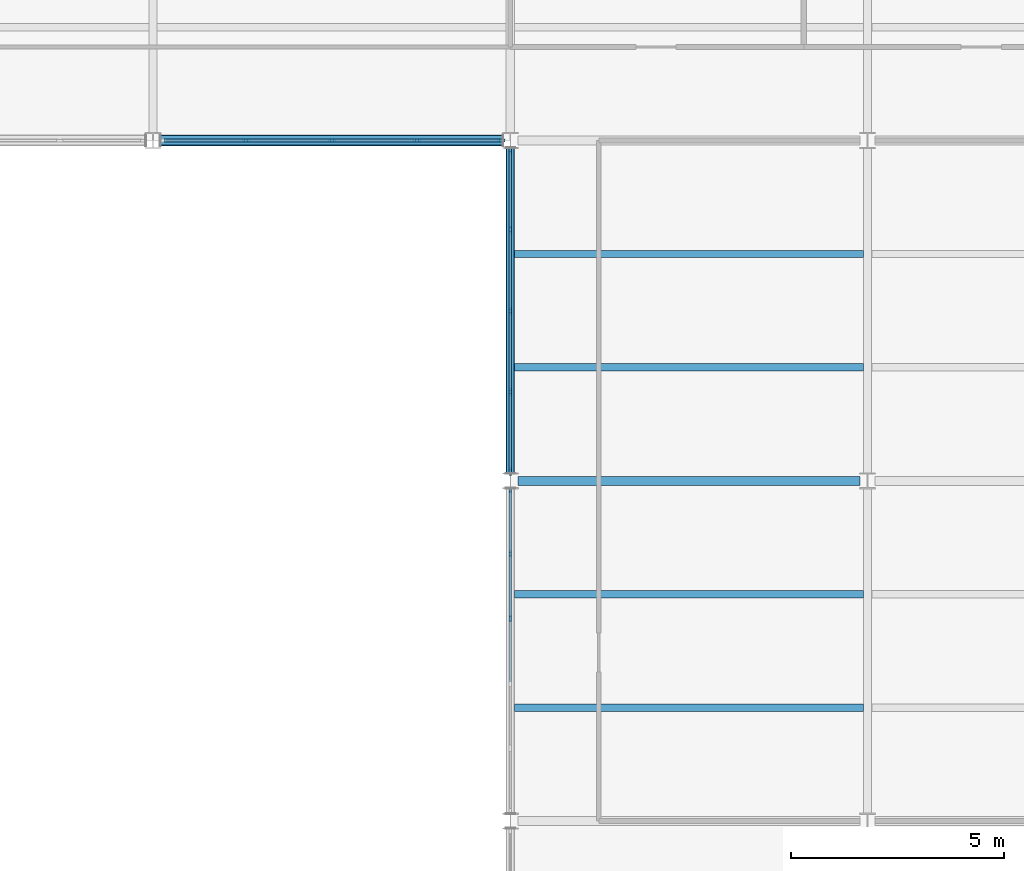
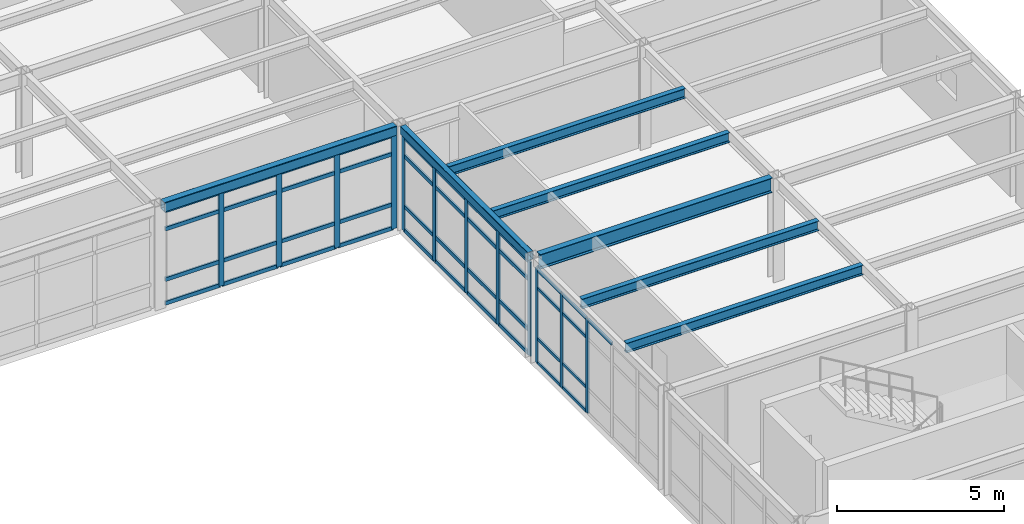
# One storey, part 54 of 138: 53 members, 7 beams, 3 elements without a shape of their own.
"""IFC4 building model written with IfcOpenShell, lengths in metres."""

import ifcopenshell
import ifcopenshell.guid

model = None  # the IFC model being written
_history = None  # IfcOwnerHistory: only IFC2X3 demands one
_inside = {}  # id of a spatial element -> (the spatial element, [elements in it])
_under = {}  # id of a project, library or spatial element -> (it, [spatial elements below it])
_declared = {}  # id of a project -> (the project, [libraries it declares])
_typed = {}  # id of a type object -> (the type object, [elements of that type])
_made_of = {}  # id of a material, layer set ... -> (it, [elements and type objects made of it])


def new_model(schema):
    """Start an empty IFC model of exactly this schema.

    Asked for "IFC4X3", IfcOpenShell would pick the latest addendum, in which some entities
    have other attributes; the version numbers below select the first issue.
    IFC2X3 requires an IfcOwnerHistory on every rooted entity: one is made here for all.
    """
    global model, _history
    if schema == "IFC4X3":
        model = ifcopenshell.file(schema_version=(4, 3, 0, 0))
    else:
        model = ifcopenshell.file(schema=schema)
    _inside.clear()
    _under.clear()
    _declared.clear()
    _typed.clear()
    _made_of.clear()
    _history = None
    if model.schema == "IFC2X3":
        org = make("IfcOrganization", Name="unknown")
        user = make(
            "IfcPersonAndOrganization",
            ThePerson=make("IfcPerson", FamilyName="unknown"),
            TheOrganization=org,
        )
        app = make(
            "IfcApplication",
            ApplicationDeveloper=org,
            Version="unknown",
            ApplicationFullName="unknown",
            ApplicationIdentifier="unknown",
        )
        _history = make(
            "IfcOwnerHistory",
            OwningUser=user,
            OwningApplication=app,
            ChangeAction="ADDED",
            CreationDate=0,
        )
    return model


def make(cls, **values):
    """One entity of the class cls with the attributes given. An attribute that is None is left unset."""
    return model.create_entity(
        cls, **{name: value for name, value in values.items() if value is not None}
    )


def rooted(cls, **values):
    """An entity with a GlobalId (a new one), such as an element, a storey or a relation."""
    return make(cls, GlobalId=ifcopenshell.guid.new(), OwnerHistory=_history, **values)


def si_unit(unit_type, name, prefix=None):
    """IfcSIUnit, for example si_unit("LENGTHUNIT", "METRE", prefix="MILLI")."""
    return make("IfcSIUnit", UnitType=unit_type, Prefix=prefix, Name=name)


def assignment(units):
    """IfcUnitAssignment: the units of a project."""
    return None if units is None else make("IfcUnitAssignment", Units=units)


def point(xyz):
    """IfcCartesianPoint."""
    return None if xyz is None else make("IfcCartesianPoint", Coordinates=xyz)


def direction(xyz):
    """IfcDirection."""
    return None if xyz is None else make("IfcDirection", DirectionRatios=xyz)


def frame(location, z_axis=None, x_axis=None):
    """IfcAxis2Placement3D, a coordinate frame: its origin and axes. An axis left out is left unset."""
    return make(
        "IfcAxis2Placement3D",
        Location=point(location),
        Axis=direction(z_axis),
        RefDirection=direction(x_axis),
    )


def frame_2d(location, x_axis=None):
    """IfcAxis2Placement2D, a coordinate frame in the plane: its origin and x axis."""
    return make(
        "IfcAxis2Placement2D", Location=point(location), RefDirection=direction(x_axis)
    )


def origin():
    """The frame at (0, 0, 0) with its axes left unset."""
    return frame((0.0, 0.0, 0.0))


def origin_2d():
    """The frame at (0, 0) in the plane with its x axis left unset."""
    return frame_2d((0.0, 0.0))


def place(relative_to, where):
    """IfcLocalPlacement: puts the frame where relative to a parent placement (None: the world)."""
    return make(
        "IfcLocalPlacement", PlacementRelTo=relative_to, RelativePlacement=where
    )


def context(
    kind, dimensions, precision=None, world=None, true_north=None, identifier=None
):
    """IfcGeometricRepresentationContext, for example the 3D "Model" context."""
    return make(
        "IfcGeometricRepresentationContext",
        ContextIdentifier=identifier,
        ContextType=kind,
        CoordinateSpaceDimension=dimensions,
        Precision=precision,
        WorldCoordinateSystem=world,
        TrueNorth=true_north,
    )


def subcontext(parent, identifier, kind, view, scale=None):
    """IfcGeometricRepresentationSubContext, for example "Body" below "Model"."""
    return make(
        "IfcGeometricRepresentationSubContext",
        ContextIdentifier=identifier,
        ContextType=kind,
        ParentContext=parent,
        TargetScale=scale,
        TargetView=view,
    )


def project(units=None, contexts=None):
    """IfcProject with its units and contexts."""
    return rooted(
        "IfcProject",
        Name="project",
        RepresentationContexts=contexts,
        UnitsInContext=assignment(units),
    )


def spatial(cls, under=None, at=None, **own):
    """A site, building, storey or space (cls), placed at a placement, below another one or the project."""
    s = rooted(cls, ObjectPlacement=at, **own)
    if under is not None:
        _under.setdefault(under.id(), (under, []))[1].append(s)
    return s


def profile(cls, at=None, kind="AREA", **sizes):
    """A parametric profile (cls). Its sizes go by their IFC names, for example OverallWidth=200.0."""
    return make(cls, ProfileType=kind, Position=at, **sizes)


def rectangle(**sizes):
    """IfcRectangleProfileDef."""
    return profile("IfcRectangleProfileDef", **sizes)


def hollow_rectangle(**sizes):
    """IfcRectangleHollowProfileDef."""
    return profile("IfcRectangleHollowProfileDef", **sizes)


def i_section(**sizes):
    """IfcIShapeProfileDef."""
    return profile("IfcIShapeProfileDef", **sizes)


def extrude(swept, where, along, depth):
    """IfcExtrudedAreaSolid: the profile swept, set in the frame where, extruded along a direction by depth."""
    return make(
        "IfcExtrudedAreaSolid",
        SweptArea=swept,
        Position=where,
        ExtrudedDirection=direction(along),
        Depth=depth,
    )


def shape(context_of_items, identifier, shape_type, items):
    """IfcShapeRepresentation: the items that make up one representation, for example the "Body"."""
    return make(
        "IfcShapeRepresentation",
        ContextOfItems=context_of_items,
        RepresentationIdentifier=identifier,
        RepresentationType=shape_type,
        Items=items,
    )


def material(Name=None, Category=None):
    """IfcMaterial."""
    return make("IfcMaterial", Name=Name, Category=Category)


def layer(
    of_material, thickness, ventilated=None, Name=None, Category=None, Priority=None
):
    """IfcMaterialLayer: one layer of a wall or slab, of a material (None: an air gap)."""
    return make(
        "IfcMaterialLayer",
        Material=of_material,
        LayerThickness=thickness,
        IsVentilated=ventilated,
        Name=Name,
        Category=Category,
        Priority=Priority,
    )


def layer_set(layers, Name=None):
    """IfcMaterialLayerSet."""
    return make("IfcMaterialLayerSet", MaterialLayers=layers, LayerSetName=Name)


def material_profile(
    of_material, cross_section, Name=None, Category=None, Priority=None
):
    """IfcMaterialProfile: a cross section and its material."""
    return make(
        "IfcMaterialProfile",
        Name=Name,
        Material=of_material,
        Profile=cross_section,
        Priority=Priority,
        Category=Category,
    )


def profile_set(profiles, Name=None, composite=None):
    """IfcMaterialProfileSet."""
    return make(
        "IfcMaterialProfileSet",
        Name=Name,
        MaterialProfiles=profiles,
        CompositeProfile=composite,
    )


def made_of(thing, what):
    """Note that an element or type object is made of a material, layer set ...; save() writes the relation."""
    if what is not None:
        _made_of.setdefault(what.id(), (what, []))[1].append(thing)
    return thing


def type_object(cls, material=None, **own):
    """A type object (cls), such as IfcWallType, which elements share."""
    return made_of(rooted(cls, **own), material)


def element(
    cls,
    number,
    at=None,
    inside=None,
    cuts=None,
    type_object=None,
    material=None,
    context=None,
    identifier="Body",
    shape_type=None,
    held_by="IfcProductDefinitionShape",
    body=None,
    shapes=None,
    **own,
):
    """One element of the class cls, such as IfcWall. Its Tag is "e" and its number.

    at: its placement. inside: the storey or other place that contains it. cuts: it is an
    opening in that element (IfcRelVoidsElement). A single representation is given by context,
    identifier, shape_type and body (its items); several are given by shapes. held_by: the class
    of the entity that holds the representations. save() writes the other relations.
    """
    e = rooted(cls, Tag="e%d" % number, ObjectPlacement=at, **own)
    if body is not None:
        shapes = [shape(context, identifier, shape_type, body)]
    if shapes is not None:
        e.Representation = make(held_by, Representations=shapes)
    if inside is not None:
        _inside.setdefault(inside.id(), (inside, []))[1].append(e)
    if cuts is not None:
        rooted(
            "IfcRelVoidsElement", RelatingBuildingElement=cuts, RelatedOpeningElement=e
        )
    if type_object is not None:
        _typed.setdefault(type_object.id(), (type_object, []))[1].append(e)
    return made_of(e, material)


def aggregate(whole, parts):
    """IfcRelAggregates: a whole, such as a stair, and the parts it consists of."""
    return rooted("IfcRelAggregates", RelatingObject=whole, RelatedObjects=parts)


def save(model, path):
    """Write the relations noted so far, then the file.

    IfcRelAggregates (storeys below a building ...), IfcRelContainedInSpatialStructure (elements
    in a storey), IfcRelDefinesByType, IfcRelAssociatesMaterial and IfcRelDeclares: one each for
    every whole, place, type object, material and project.
    """
    for whole, parts in _under.values():
        aggregate(whole, parts)
    for where, things in _inside.values():
        rooted(
            "IfcRelContainedInSpatialStructure",
            RelatedElements=things,
            RelatingStructure=where,
        )
    for kind, things in _typed.values():
        rooted("IfcRelDefinesByType", RelatedObjects=things, RelatingType=kind)
    for what, things in _made_of.values():
        rooted("IfcRelAssociatesMaterial", RelatedObjects=things, RelatingMaterial=what)
    for by, libraries in _declared.values():
        rooted("IfcRelDeclares", RelatingContext=by, RelatedDefinitions=libraries)
    model.write(path)


model = new_model("IFC4")

# Units and contexts
model_context = context("Model", 3, precision=1e-05, world=origin(), true_north=direction((0.0, 1.0)))
body_context = subcontext(model_context, "Body", "Model", "MODEL_VIEW")
ifc_project = project(units=[si_unit("LENGTHUNIT", "METRE"), si_unit("AREAUNIT", "SQUARE_METRE"), si_unit("VOLUMEUNIT", "CUBIC_METRE"), si_unit("PLANEANGLEUNIT", "RADIAN"), si_unit("MASSUNIT", "GRAM", prefix="KILO")], contexts=[model_context])

# Site, building, storey
site_placement = place(None, origin())
site = spatial("IfcSite", under=ifc_project, at=site_placement, CompositionType="ELEMENT")
building_placement = place(site_placement, origin())
building = spatial("IfcBuilding", under=site, at=building_placement, Name="Kranzveld Transit Interchange", CompositionType="ELEMENT")
storey_placement = place(building_placement, frame((0.0, 0.0, 5.43994140625)))
storey = spatial("IfcBuildingStorey", under=building, at=storey_placement, Name="L01", CompositionType="ELEMENT", Elevation=5.43994140625)

# Curtain wall, members
ifc_material_1 = material(Name="Bronze-anodised thermally broken aluminium", Category="aluminium")
ifc_layer_1 = layer(ifc_material_1, 0.14990234375)
ifc_layer_set_1 = layer_set([ifc_layer_1], Name="Bronze-anodised thermally broken aluminium")
curtain_wall_type_1 = type_object("IfcCurtainWallType", Name="Public Passage Clerestory Screen CW-4", PredefinedType="USERDEFINED", material=ifc_layer_set_1)
curtain_wall_1_placement = place(storey_placement, origin())
curtain_wall_1 = element("IfcCurtainWall", 1, at=curtain_wall_1_placement, inside=storey, type_object=curtain_wall_type_1, Name="L01 Curtain Wall 19/L-19/M", ObjectType="CURTAIN WALL", PredefinedType="USERDEFINED")
ifc_material_2 = material(Name="Bronze-anodised thermally broken aluminium", Category="aluminium")
ifc_material_profile_1 = material_profile(ifc_material_2, rectangle(XDim=0.06005859375, YDim=0.14990234375, at=origin_2d()), Name="ALU MULLION 60x150")
ifc_profile_set_1 = profile_set([ifc_material_profile_1], Name="Bronze-anodised thermally broken aluminium")
member_type_1 = type_object("IfcMemberType", Name="Curtain Wall Mullion 60x150 Alu", PredefinedType="MULLION", material=ifc_profile_set_1)
member_1_placement = place(storey_placement, frame((151.199951171875, 84.762451171875, 0.0), z_axis=(0.0, 0.0, 1.0), x_axis=(-1.0, 0.0, 0.0)))
member_1 = element("IfcMember", 2, at=member_1_placement, type_object=member_type_1, Name="CW-4 mullion 4", PredefinedType="MULLION", context=body_context, shape_type="SweptSolid", body=[
    extrude(rectangle(XDim=0.06005859375, YDim=0.14990234375, at=origin_2d()), origin(), (0.0, 0.0, 1.0), 3.442138671875),
])
member_2_placement = place(storey_placement, frame((151.199951171875, 86.28759765625, 0.0), z_axis=(0.0, 0.0, 1.0), x_axis=(-1.0, 0.0, 0.0)))
member_2 = element("IfcMember", 3, at=member_2_placement, type_object=member_type_1, Name="CW-4 mullion 5", PredefinedType="MULLION", context=body_context, shape_type="SweptSolid", body=[
    extrude(rectangle(XDim=0.06005859375, YDim=0.14990234375, at=origin_2d()), origin(), (0.0, 0.0, 1.0), 3.442138671875),
])
member_3_placement = place(storey_placement, frame((151.199951171875, 87.78271484375, 0.0), z_axis=(0.0, 0.0, 1.0), x_axis=(-1.0, 0.0, 0.0)))
member_3 = element("IfcMember", 4, at=member_3_placement, type_object=member_type_1, Name="CW-4 mullion 6", PredefinedType="MULLION", context=body_context, shape_type="SweptSolid", body=[
    extrude(rectangle(XDim=0.06005859375, YDim=0.14990234375, at=origin_2d()), origin(), (0.0, 0.0, 1.0), 3.442138671875),
])

ifc_material_3 = material(Name="Bronze-anodised thermally broken aluminium", Category="aluminium")
ifc_layer_2 = layer(ifc_material_3, 0.18505859375)
ifc_layer_set_2 = layer_set([ifc_layer_2], Name="Bronze-anodised thermally broken aluminium")
curtain_wall_type_2 = type_object("IfcCurtainWallType", Name="Control Crown Observation Facade CW-5", PredefinedType="USERDEFINED", material=ifc_layer_set_2)
curtain_wall_2_placement = place(storey_placement, origin())
curtain_wall_2 = element("IfcCurtainWall", 5, at=curtain_wall_2_placement, inside=storey, type_object=curtain_wall_type_2, Name="L01 Curtain Wall 19/M-19/N", ObjectType="CURTAIN WALL", PredefinedType="USERDEFINED")
ifc_material_4 = material(Name="Bronze-anodised thermally broken aluminium", Category="aluminium")
ifc_material_profile_2 = material_profile(ifc_material_4, rectangle(XDim=0.06494140625, YDim=0.179931640625, at=origin_2d()), Name="ALU MULLION 65x180")
ifc_profile_set_2 = profile_set([ifc_material_profile_2], Name="Bronze-anodised thermally broken aluminium")
member_type_2 = type_object("IfcMemberType", Name="Curtain Wall Mullion 65x180 Alu", PredefinedType="MULLION", material=ifc_profile_set_2)
member_4_placement = place(storey_placement, frame((151.199951171875, 88.2197265625, 0.0), z_axis=(0.0, 0.0, 1.0), x_axis=(-1.0, 0.0, 0.0)))
member_4 = element("IfcMember", 6, at=member_4_placement, type_object=member_type_2, Name="CW-5 mullion 1", PredefinedType="MULLION", context=body_context, shape_type="SweptSolid", body=[
    extrude(rectangle(XDim=0.06494140625, YDim=0.179931640625, at=origin_2d()), origin(), (0.0, 0.0, 1.0), 3.442138671875),
])
member_5_placement = place(storey_placement, frame((151.199951171875, 90.09375, 0.0), z_axis=(0.0, 0.0, 1.0), x_axis=(-1.0, 0.0, 0.0)))
member_5 = element("IfcMember", 7, at=member_5_placement, type_object=member_type_2, Name="CW-5 mullion 2", PredefinedType="MULLION", context=body_context, shape_type="SweptSolid", body=[
    extrude(rectangle(XDim=0.06494140625, YDim=0.179931640625, at=origin_2d()), origin(), (0.0, 0.0, 1.0), 3.442138671875),
])
member_6_placement = place(storey_placement, frame((151.199951171875, 92.0, 0.0), z_axis=(0.0, 0.0, 1.0), x_axis=(-1.0, 0.0, 0.0)))
member_6 = element("IfcMember", 8, at=member_6_placement, type_object=member_type_2, Name="CW-5 mullion 3", PredefinedType="MULLION", context=body_context, shape_type="SweptSolid", body=[
    extrude(rectangle(XDim=0.06494140625, YDim=0.179931640625, at=origin_2d()), origin(), (0.0, 0.0, 1.0), 3.442138671875),
])
member_7_placement = place(storey_placement, frame((151.199951171875, 93.90625, 0.0), z_axis=(0.0, 0.0, 1.0), x_axis=(-1.0, 0.0, 0.0)))
member_7 = element("IfcMember", 9, at=member_7_placement, type_object=member_type_2, Name="CW-5 mullion 4", PredefinedType="MULLION", context=body_context, shape_type="SweptSolid", body=[
    extrude(rectangle(XDim=0.06494140625, YDim=0.179931640625, at=origin_2d()), origin(), (0.0, 0.0, 1.0), 3.442138671875),
])
member_8_placement = place(storey_placement, frame((151.199951171875, 95.7802734375, 0.0), z_axis=(0.0, 0.0, 1.0), x_axis=(-1.0, 0.0, 0.0)))
member_8 = element("IfcMember", 10, at=member_8_placement, type_object=member_type_2, Name="CW-5 mullion 5", PredefinedType="MULLION", context=body_context, shape_type="SweptSolid", body=[
    extrude(rectangle(XDim=0.06494140625, YDim=0.179931640625, at=origin_2d()), origin(), (0.0, 0.0, 1.0), 3.442138671875),
])

ifc_material_5 = material(Name="Bronze-anodised thermally broken aluminium", Category="aluminium")
ifc_layer_3 = layer(ifc_material_5, 0.179931640625)
ifc_layer_set_3 = layer_set([ifc_layer_3], Name="Bronze-anodised thermally broken aluminium")
curtain_wall_type_3 = type_object("IfcCurtainWallType", Name="Concourse Unitised Curtain Wall CW-1", PredefinedType="USERDEFINED", material=ifc_layer_set_3)
curtain_wall_3_placement = place(storey_placement, origin())
curtain_wall_3 = element("IfcCurtainWall", 11, at=curtain_wall_3_placement, inside=storey, type_object=curtain_wall_type_3, Name="L01 Curtain Wall 18/N-19/N", ObjectType="CURTAIN WALL", PredefinedType="USERDEFINED")
member_9_placement = place(storey_placement, frame((144.99365234375, 96.0, 0.0), z_axis=(0.0, 0.0, 1.0), x_axis=(0.0, 1.0, 0.0)))
member_9 = element("IfcMember", 12, at=member_9_placement, type_object=member_type_2, Name="CW-1 mullion 2", PredefinedType="MULLION", context=body_context, shape_type="SweptSolid", body=[
    extrude(rectangle(XDim=0.06494140625, YDim=0.179931640625, at=origin_2d()), origin(), (0.0, 0.0, 1.0), 3.449951171875),
])
member_10_placement = place(storey_placement, frame((147.0, 96.0, 0.0), z_axis=(0.0, 0.0, 1.0), x_axis=(0.0, 1.0, 0.0)))
member_10 = element("IfcMember", 13, at=member_10_placement, type_object=member_type_2, Name="CW-1 mullion 3", PredefinedType="MULLION", context=body_context, shape_type="SweptSolid", body=[
    extrude(rectangle(XDim=0.06494140625, YDim=0.179931640625, at=origin_2d()), origin(), (0.0, 0.0, 1.0), 3.449951171875),
])
member_11_placement = place(storey_placement, frame((149.00634765625, 96.0, 0.0), z_axis=(0.0, 0.0, 1.0), x_axis=(0.0, 1.0, 0.0)))
member_11 = element("IfcMember", 14, at=member_11_placement, type_object=member_type_2, Name="CW-1 mullion 4", PredefinedType="MULLION", context=body_context, shape_type="SweptSolid", body=[
    extrude(rectangle(XDim=0.06494140625, YDim=0.179931640625, at=origin_2d()), origin(), (0.0, 0.0, 1.0), 3.449951171875),
])
member_12_placement = place(storey_placement, frame((150.980224609375, 96.0, 0.0), z_axis=(0.0, 0.0, 1.0), x_axis=(0.0, 1.0, 0.0)))
member_12 = element("IfcMember", 15, at=member_12_placement, type_object=member_type_2, Name="CW-1 mullion 5", PredefinedType="MULLION", context=body_context, shape_type="SweptSolid", body=[
    extrude(rectangle(XDim=0.06494140625, YDim=0.179931640625, at=origin_2d()), origin(), (0.0, 0.0, 1.0), 3.449951171875),
])

# Member
ifc_material_6 = material(Name="Bronze-anodised thermally broken aluminium", Category="aluminium")
ifc_material_profile_3 = material_profile(ifc_material_6, rectangle(XDim=0.06005859375, YDim=0.110107421875, at=origin_2d()), Name="ALU TRANSOM 60x110")
ifc_profile_set_3 = profile_set([ifc_material_profile_3], Name="Bronze-anodised thermally broken aluminium")
member_type_3 = type_object("IfcMemberType", Name="Curtain Wall Transom 60x110 Alu", PredefinedType="USERDEFINED", material=ifc_profile_set_3)
member_13_placement = place(storey_placement, frame((151.199951171875, 83.267578125, 3.412109375), z_axis=(0.0, 1.0, 0.0), x_axis=(-1.0, 0.0, 0.0)))
member_13 = element("IfcMember", 16, at=member_13_placement, type_object=member_type_3, Name="CW-4 transom 3.4", ObjectType="TRANSOM", PredefinedType="USERDEFINED", context=body_context, shape_type="SweptSolid", body=[
    extrude(rectangle(XDim=0.06005859375, YDim=0.110107421875, at=origin_2d()), origin(), (0.0, 0.0, 1.0), 1.46484375),
])

member_14_placement = place(storey_placement, frame((151.199951171875, 84.79248046875, 0.030029296875), z_axis=(0.0, 1.0, 0.0), x_axis=(-1.0, 0.0, 0.0)))
member_14 = element("IfcMember", 17, at=member_14_placement, type_object=member_type_3, Name="CW-4 transom 4.1", ObjectType="TRANSOM", PredefinedType="USERDEFINED", context=body_context, shape_type="SweptSolid", body=[
    extrude(rectangle(XDim=0.06005859375, YDim=0.110107421875, at=origin_2d()), origin(), (0.0, 0.0, 1.0), 1.465087890625),
])

member_15_placement = place(storey_placement, frame((151.199951171875, 84.79248046875, 0.900146484375), z_axis=(0.0, 1.0, 0.0), x_axis=(-1.0, 0.0, 0.0)))
member_15 = element("IfcMember", 18, at=member_15_placement, type_object=member_type_3, Name="CW-4 transom 4.2", ObjectType="TRANSOM", PredefinedType="USERDEFINED", context=body_context, shape_type="SweptSolid", body=[
    extrude(rectangle(XDim=0.06005859375, YDim=0.110107421875, at=origin_2d()), origin(), (0.0, 0.0, 1.0), 1.465087890625),
])

member_16_placement = place(storey_placement, frame((151.199951171875, 84.79248046875, 2.741943359375), z_axis=(0.0, 1.0, 0.0), x_axis=(-1.0, 0.0, 0.0)))
member_16 = element("IfcMember", 19, at=member_16_placement, type_object=member_type_3, Name="CW-4 transom 4.3", ObjectType="TRANSOM", PredefinedType="USERDEFINED", context=body_context, shape_type="SweptSolid", body=[
    extrude(rectangle(XDim=0.06005859375, YDim=0.110107421875, at=origin_2d()), origin(), (0.0, 0.0, 1.0), 1.465087890625),
])

member_17_placement = place(storey_placement, frame((151.199951171875, 84.79248046875, 3.412109375), z_axis=(0.0, 1.0, 0.0), x_axis=(-1.0, 0.0, 0.0)))
member_17 = element("IfcMember", 20, at=member_17_placement, type_object=member_type_3, Name="CW-4 transom 4.4", ObjectType="TRANSOM", PredefinedType="USERDEFINED", context=body_context, shape_type="SweptSolid", body=[
    extrude(rectangle(XDim=0.06005859375, YDim=0.110107421875, at=origin_2d()), origin(), (0.0, 0.0, 1.0), 1.465087890625),
])

member_18_placement = place(storey_placement, frame((151.199951171875, 86.317626953125, 0.030029296875), z_axis=(0.0, 1.0, 0.0), x_axis=(-1.0, 0.0, 0.0)))
member_18 = element("IfcMember", 21, at=member_18_placement, type_object=member_type_3, Name="CW-4 transom 5.1", ObjectType="TRANSOM", PredefinedType="USERDEFINED", context=body_context, shape_type="SweptSolid", body=[
    extrude(rectangle(XDim=0.06005859375, YDim=0.110107421875, at=origin_2d()), origin(), (0.0, 0.0, 1.0), 1.43505859375),
])

member_19_placement = place(storey_placement, frame((151.199951171875, 86.317626953125, 0.900146484375), z_axis=(0.0, 1.0, 0.0), x_axis=(-1.0, 0.0, 0.0)))
member_19 = element("IfcMember", 22, at=member_19_placement, type_object=member_type_3, Name="CW-4 transom 5.2", ObjectType="TRANSOM", PredefinedType="USERDEFINED", context=body_context, shape_type="SweptSolid", body=[
    extrude(rectangle(XDim=0.06005859375, YDim=0.110107421875, at=origin_2d()), origin(), (0.0, 0.0, 1.0), 1.43505859375),
])

member_20_placement = place(storey_placement, frame((151.199951171875, 86.317626953125, 2.741943359375), z_axis=(0.0, 1.0, 0.0), x_axis=(-1.0, 0.0, 0.0)))
member_20 = element("IfcMember", 23, at=member_20_placement, type_object=member_type_3, Name="CW-4 transom 5.3", ObjectType="TRANSOM", PredefinedType="USERDEFINED", context=body_context, shape_type="SweptSolid", body=[
    extrude(rectangle(XDim=0.06005859375, YDim=0.110107421875, at=origin_2d()), origin(), (0.0, 0.0, 1.0), 1.43505859375),
])

member_21_placement = place(storey_placement, frame((151.199951171875, 86.317626953125, 3.412109375), z_axis=(0.0, 1.0, 0.0), x_axis=(-1.0, 0.0, 0.0)))
member_21 = element("IfcMember", 24, at=member_21_placement, type_object=member_type_3, Name="CW-4 transom 5.4", ObjectType="TRANSOM", PredefinedType="USERDEFINED", context=body_context, shape_type="SweptSolid", body=[
    extrude(rectangle(XDim=0.06005859375, YDim=0.110107421875, at=origin_2d()), origin(), (0.0, 0.0, 1.0), 1.43505859375),
])

aggregate(curtain_wall_1, [member_1, member_2, member_3, member_13, member_14, member_15, member_16, member_17, member_18, member_19, member_20, member_21])

ifc_material_7 = material(Name="Bronze-anodised thermally broken aluminium", Category="aluminium")
ifc_material_profile_4 = material_profile(ifc_material_7, rectangle(XDim=0.06494140625, YDim=0.139892578125, at=origin_2d()), Name="ALU TRANSOM 65x140")
ifc_profile_set_4 = profile_set([ifc_material_profile_4], Name="Bronze-anodised thermally broken aluminium")
member_type_4 = type_object("IfcMemberType", Name="Curtain Wall Transom 65x140 Alu", PredefinedType="USERDEFINED", material=ifc_profile_set_4)
member_22_placement = place(storey_placement, frame((151.199951171875, 88.252197265625, 0.032470703125), z_axis=(0.0, 1.0, 0.0), x_axis=(-1.0, 0.0, 0.0)))
member_22 = element("IfcMember", 25, at=member_22_placement, type_object=member_type_4, Name="CW-5 transom 1.1", ObjectType="TRANSOM", PredefinedType="USERDEFINED", context=body_context, shape_type="SweptSolid", body=[
    extrude(rectangle(XDim=0.06494140625, YDim=0.139892578125, at=origin_2d()), origin(), (0.0, 0.0, 1.0), 1.808837890625),
])

member_23_placement = place(storey_placement, frame((151.199951171875, 88.252197265625, 0.900146484375), z_axis=(0.0, 1.0, 0.0), x_axis=(-1.0, 0.0, 0.0)))
member_23 = element("IfcMember", 26, at=member_23_placement, type_object=member_type_4, Name="CW-5 transom 1.2", ObjectType="TRANSOM", PredefinedType="USERDEFINED", context=body_context, shape_type="SweptSolid", body=[
    extrude(rectangle(XDim=0.06494140625, YDim=0.139892578125, at=origin_2d()), origin(), (0.0, 0.0, 1.0), 1.808837890625),
])

member_24_placement = place(storey_placement, frame((151.199951171875, 88.252197265625, 2.741943359375), z_axis=(0.0, 1.0, 0.0), x_axis=(-1.0, 0.0, 0.0)))
member_24 = element("IfcMember", 27, at=member_24_placement, type_object=member_type_4, Name="CW-5 transom 1.3", ObjectType="TRANSOM", PredefinedType="USERDEFINED", context=body_context, shape_type="SweptSolid", body=[
    extrude(rectangle(XDim=0.06494140625, YDim=0.139892578125, at=origin_2d()), origin(), (0.0, 0.0, 1.0), 1.808837890625),
])

member_25_placement = place(storey_placement, frame((151.199951171875, 88.252197265625, 3.40966796875), z_axis=(0.0, 1.0, 0.0), x_axis=(-1.0, 0.0, 0.0)))
member_25 = element("IfcMember", 28, at=member_25_placement, type_object=member_type_4, Name="CW-5 transom 1.4", ObjectType="TRANSOM", PredefinedType="USERDEFINED", context=body_context, shape_type="SweptSolid", body=[
    extrude(rectangle(XDim=0.06494140625, YDim=0.139892578125, at=origin_2d()), origin(), (0.0, 0.0, 1.0), 1.808837890625),
])

member_26_placement = place(storey_placement, frame((151.199951171875, 90.126220703125, 0.032470703125), z_axis=(0.0, 1.0, 0.0), x_axis=(-1.0, 0.0, 0.0)))
member_26 = element("IfcMember", 29, at=member_26_placement, type_object=member_type_4, Name="CW-5 transom 2.1", ObjectType="TRANSOM", PredefinedType="USERDEFINED", context=body_context, shape_type="SweptSolid", body=[
    extrude(rectangle(XDim=0.06494140625, YDim=0.139892578125, at=origin_2d()), origin(), (0.0, 0.0, 1.0), 1.84130859375),
])

member_27_placement = place(storey_placement, frame((151.199951171875, 90.126220703125, 0.900146484375), z_axis=(0.0, 1.0, 0.0), x_axis=(-1.0, 0.0, 0.0)))
member_27 = element("IfcMember", 30, at=member_27_placement, type_object=member_type_4, Name="CW-5 transom 2.2", ObjectType="TRANSOM", PredefinedType="USERDEFINED", context=body_context, shape_type="SweptSolid", body=[
    extrude(rectangle(XDim=0.06494140625, YDim=0.139892578125, at=origin_2d()), origin(), (0.0, 0.0, 1.0), 1.84130859375),
])

member_28_placement = place(storey_placement, frame((151.199951171875, 90.126220703125, 2.741943359375), z_axis=(0.0, 1.0, 0.0), x_axis=(-1.0, 0.0, 0.0)))
member_28 = element("IfcMember", 31, at=member_28_placement, type_object=member_type_4, Name="CW-5 transom 2.3", ObjectType="TRANSOM", PredefinedType="USERDEFINED", context=body_context, shape_type="SweptSolid", body=[
    extrude(rectangle(XDim=0.06494140625, YDim=0.139892578125, at=origin_2d()), origin(), (0.0, 0.0, 1.0), 1.84130859375),
])

member_29_placement = place(storey_placement, frame((151.199951171875, 90.126220703125, 3.40966796875), z_axis=(0.0, 1.0, 0.0), x_axis=(-1.0, 0.0, 0.0)))
member_29 = element("IfcMember", 32, at=member_29_placement, type_object=member_type_4, Name="CW-5 transom 2.4", ObjectType="TRANSOM", PredefinedType="USERDEFINED", context=body_context, shape_type="SweptSolid", body=[
    extrude(rectangle(XDim=0.06494140625, YDim=0.139892578125, at=origin_2d()), origin(), (0.0, 0.0, 1.0), 1.84130859375),
])

member_30_placement = place(storey_placement, frame((151.199951171875, 92.032470703125, 0.032470703125), z_axis=(0.0, 1.0, 0.0), x_axis=(-1.0, 0.0, 0.0)))
member_30 = element("IfcMember", 33, at=member_30_placement, type_object=member_type_4, Name="CW-5 transom 3.1", ObjectType="TRANSOM", PredefinedType="USERDEFINED", context=body_context, shape_type="SweptSolid", body=[
    extrude(rectangle(XDim=0.06494140625, YDim=0.139892578125, at=origin_2d()), origin(), (0.0, 0.0, 1.0), 1.84130859375),
])

member_31_placement = place(storey_placement, frame((151.199951171875, 92.032470703125, 0.900146484375), z_axis=(0.0, 1.0, 0.0), x_axis=(-1.0, 0.0, 0.0)))
member_31 = element("IfcMember", 34, at=member_31_placement, type_object=member_type_4, Name="CW-5 transom 3.2", ObjectType="TRANSOM", PredefinedType="USERDEFINED", context=body_context, shape_type="SweptSolid", body=[
    extrude(rectangle(XDim=0.06494140625, YDim=0.139892578125, at=origin_2d()), origin(), (0.0, 0.0, 1.0), 1.84130859375),
])

member_32_placement = place(storey_placement, frame((151.199951171875, 92.032470703125, 2.741943359375), z_axis=(0.0, 1.0, 0.0), x_axis=(-1.0, 0.0, 0.0)))
member_32 = element("IfcMember", 35, at=member_32_placement, type_object=member_type_4, Name="CW-5 transom 3.3", ObjectType="TRANSOM", PredefinedType="USERDEFINED", context=body_context, shape_type="SweptSolid", body=[
    extrude(rectangle(XDim=0.06494140625, YDim=0.139892578125, at=origin_2d()), origin(), (0.0, 0.0, 1.0), 1.84130859375),
])

member_33_placement = place(storey_placement, frame((151.199951171875, 92.032470703125, 3.40966796875), z_axis=(0.0, 1.0, 0.0), x_axis=(-1.0, 0.0, 0.0)))
member_33 = element("IfcMember", 36, at=member_33_placement, type_object=member_type_4, Name="CW-5 transom 3.4", ObjectType="TRANSOM", PredefinedType="USERDEFINED", context=body_context, shape_type="SweptSolid", body=[
    extrude(rectangle(XDim=0.06494140625, YDim=0.139892578125, at=origin_2d()), origin(), (0.0, 0.0, 1.0), 1.84130859375),
])

member_34_placement = place(storey_placement, frame((151.199951171875, 93.93896484375, 0.032470703125), z_axis=(0.0, 1.0, 0.0), x_axis=(-1.0, 0.0, 0.0)))
member_34 = element("IfcMember", 37, at=member_34_placement, type_object=member_type_4, Name="CW-5 transom 4.1", ObjectType="TRANSOM", PredefinedType="USERDEFINED", context=body_context, shape_type="SweptSolid", body=[
    extrude(rectangle(XDim=0.06494140625, YDim=0.139892578125, at=origin_2d()), origin(), (0.0, 0.0, 1.0), 1.808837890625),
])

member_35_placement = place(storey_placement, frame((151.199951171875, 93.93896484375, 0.900146484375), z_axis=(0.0, 1.0, 0.0), x_axis=(-1.0, 0.0, 0.0)))
member_35 = element("IfcMember", 38, at=member_35_placement, type_object=member_type_4, Name="CW-5 transom 4.2", ObjectType="TRANSOM", PredefinedType="USERDEFINED", context=body_context, shape_type="SweptSolid", body=[
    extrude(rectangle(XDim=0.06494140625, YDim=0.139892578125, at=origin_2d()), origin(), (0.0, 0.0, 1.0), 1.808837890625),
])

member_36_placement = place(storey_placement, frame((151.199951171875, 93.93896484375, 2.741943359375), z_axis=(0.0, 1.0, 0.0), x_axis=(-1.0, 0.0, 0.0)))
member_36 = element("IfcMember", 39, at=member_36_placement, type_object=member_type_4, Name="CW-5 transom 4.3", ObjectType="TRANSOM", PredefinedType="USERDEFINED", context=body_context, shape_type="SweptSolid", body=[
    extrude(rectangle(XDim=0.06494140625, YDim=0.139892578125, at=origin_2d()), origin(), (0.0, 0.0, 1.0), 1.808837890625),
])

member_37_placement = place(storey_placement, frame((151.199951171875, 93.93896484375, 3.40966796875), z_axis=(0.0, 1.0, 0.0), x_axis=(-1.0, 0.0, 0.0)))
member_37 = element("IfcMember", 40, at=member_37_placement, type_object=member_type_4, Name="CW-5 transom 4.4", ObjectType="TRANSOM", PredefinedType="USERDEFINED", context=body_context, shape_type="SweptSolid", body=[
    extrude(rectangle(XDim=0.06494140625, YDim=0.139892578125, at=origin_2d()), origin(), (0.0, 0.0, 1.0), 1.808837890625),
])

aggregate(curtain_wall_2, [member_4, member_5, member_6, member_7, member_8, member_22, member_23, member_24, member_25, member_26, member_27, member_28, member_29, member_30, member_31, member_32, member_33, member_34, member_35, member_36, member_37])

member_38_placement = place(storey_placement, frame((143.05224609375, 96.0, 0.032470703125), z_axis=(1.0, 0.0, 0.0), x_axis=(0.0, 1.0, 0.0)))
member_38 = element("IfcMember", 41, at=member_38_placement, type_object=member_type_4, Name="CW-1 transom 1.1", ObjectType="TRANSOM", PredefinedType="USERDEFINED", context=body_context, shape_type="SweptSolid", body=[
    extrude(rectangle(XDim=0.06494140625, YDim=0.139892578125, at=origin_2d()), origin(), (0.0, 0.0, 1.0), 1.908935546875),
])

member_39_placement = place(storey_placement, frame((143.05224609375, 96.0, 0.900146484375), z_axis=(1.0, 0.0, 0.0), x_axis=(0.0, 1.0, 0.0)))
member_39 = element("IfcMember", 42, at=member_39_placement, type_object=member_type_4, Name="CW-1 transom 1.2", ObjectType="TRANSOM", PredefinedType="USERDEFINED", context=body_context, shape_type="SweptSolid", body=[
    extrude(rectangle(XDim=0.06494140625, YDim=0.139892578125, at=origin_2d()), origin(), (0.0, 0.0, 1.0), 1.908935546875),
])

member_40_placement = place(storey_placement, frame((143.05224609375, 96.0, 2.75), z_axis=(1.0, 0.0, 0.0), x_axis=(0.0, 1.0, 0.0)))
member_40 = element("IfcMember", 43, at=member_40_placement, type_object=member_type_4, Name="CW-1 transom 1.3", ObjectType="TRANSOM", PredefinedType="USERDEFINED", context=body_context, shape_type="SweptSolid", body=[
    extrude(rectangle(XDim=0.06494140625, YDim=0.139892578125, at=origin_2d()), origin(), (0.0, 0.0, 1.0), 1.908935546875),
])

member_41_placement = place(storey_placement, frame((143.05224609375, 96.0, 3.41748046875), z_axis=(1.0, 0.0, 0.0), x_axis=(0.0, 1.0, 0.0)))
member_41 = element("IfcMember", 44, at=member_41_placement, type_object=member_type_4, Name="CW-1 transom 1.4", ObjectType="TRANSOM", PredefinedType="USERDEFINED", context=body_context, shape_type="SweptSolid", body=[
    extrude(rectangle(XDim=0.06494140625, YDim=0.139892578125, at=origin_2d()), origin(), (0.0, 0.0, 1.0), 1.908935546875),
])

member_42_placement = place(storey_placement, frame((145.026123046875, 96.0, 0.032470703125), z_axis=(1.0, 0.0, 0.0), x_axis=(0.0, 1.0, 0.0)))
member_42 = element("IfcMember", 45, at=member_42_placement, type_object=member_type_4, Name="CW-1 transom 2.1", ObjectType="TRANSOM", PredefinedType="USERDEFINED", context=body_context, shape_type="SweptSolid", body=[
    extrude(rectangle(XDim=0.06494140625, YDim=0.139892578125, at=origin_2d()), origin(), (0.0, 0.0, 1.0), 1.94140625),
])

member_43_placement = place(storey_placement, frame((145.026123046875, 96.0, 0.900146484375), z_axis=(1.0, 0.0, 0.0), x_axis=(0.0, 1.0, 0.0)))
member_43 = element("IfcMember", 46, at=member_43_placement, type_object=member_type_4, Name="CW-1 transom 2.2", ObjectType="TRANSOM", PredefinedType="USERDEFINED", context=body_context, shape_type="SweptSolid", body=[
    extrude(rectangle(XDim=0.06494140625, YDim=0.139892578125, at=origin_2d()), origin(), (0.0, 0.0, 1.0), 1.94140625),
])

member_44_placement = place(storey_placement, frame((145.026123046875, 96.0, 2.75), z_axis=(1.0, 0.0, 0.0), x_axis=(0.0, 1.0, 0.0)))
member_44 = element("IfcMember", 47, at=member_44_placement, type_object=member_type_4, Name="CW-1 transom 2.3", ObjectType="TRANSOM", PredefinedType="USERDEFINED", context=body_context, shape_type="SweptSolid", body=[
    extrude(rectangle(XDim=0.06494140625, YDim=0.139892578125, at=origin_2d()), origin(), (0.0, 0.0, 1.0), 1.94140625),
])

member_45_placement = place(storey_placement, frame((145.026123046875, 96.0, 3.41748046875), z_axis=(1.0, 0.0, 0.0), x_axis=(0.0, 1.0, 0.0)))
member_45 = element("IfcMember", 48, at=member_45_placement, type_object=member_type_4, Name="CW-1 transom 2.4", ObjectType="TRANSOM", PredefinedType="USERDEFINED", context=body_context, shape_type="SweptSolid", body=[
    extrude(rectangle(XDim=0.06494140625, YDim=0.139892578125, at=origin_2d()), origin(), (0.0, 0.0, 1.0), 1.94140625),
])

member_46_placement = place(storey_placement, frame((147.032470703125, 96.0, 0.032470703125), z_axis=(1.0, 0.0, 0.0), x_axis=(0.0, 1.0, 0.0)))
member_46 = element("IfcMember", 49, at=member_46_placement, type_object=member_type_4, Name="CW-1 transom 3.1", ObjectType="TRANSOM", PredefinedType="USERDEFINED", context=body_context, shape_type="SweptSolid", body=[
    extrude(rectangle(XDim=0.06494140625, YDim=0.139892578125, at=origin_2d()), origin(), (0.0, 0.0, 1.0), 1.94140625),
])

member_47_placement = place(storey_placement, frame((147.032470703125, 96.0, 0.900146484375), z_axis=(1.0, 0.0, 0.0), x_axis=(0.0, 1.0, 0.0)))
member_47 = element("IfcMember", 50, at=member_47_placement, type_object=member_type_4, Name="CW-1 transom 3.2", ObjectType="TRANSOM", PredefinedType="USERDEFINED", context=body_context, shape_type="SweptSolid", body=[
    extrude(rectangle(XDim=0.06494140625, YDim=0.139892578125, at=origin_2d()), origin(), (0.0, 0.0, 1.0), 1.94140625),
])

member_48_placement = place(storey_placement, frame((147.032470703125, 96.0, 2.75), z_axis=(1.0, 0.0, 0.0), x_axis=(0.0, 1.0, 0.0)))
member_48 = element("IfcMember", 51, at=member_48_placement, type_object=member_type_4, Name="CW-1 transom 3.3", ObjectType="TRANSOM", PredefinedType="USERDEFINED", context=body_context, shape_type="SweptSolid", body=[
    extrude(rectangle(XDim=0.06494140625, YDim=0.139892578125, at=origin_2d()), origin(), (0.0, 0.0, 1.0), 1.94140625),
])

member_49_placement = place(storey_placement, frame((147.032470703125, 96.0, 3.41748046875), z_axis=(1.0, 0.0, 0.0), x_axis=(0.0, 1.0, 0.0)))
member_49 = element("IfcMember", 52, at=member_49_placement, type_object=member_type_4, Name="CW-1 transom 3.4", ObjectType="TRANSOM", PredefinedType="USERDEFINED", context=body_context, shape_type="SweptSolid", body=[
    extrude(rectangle(XDim=0.06494140625, YDim=0.139892578125, at=origin_2d()), origin(), (0.0, 0.0, 1.0), 1.94140625),
])

member_50_placement = place(storey_placement, frame((149.038818359375, 96.0, 0.032470703125), z_axis=(1.0, 0.0, 0.0), x_axis=(0.0, 1.0, 0.0)))
member_50 = element("IfcMember", 53, at=member_50_placement, type_object=member_type_4, Name="CW-1 transom 4.1", ObjectType="TRANSOM", PredefinedType="USERDEFINED", context=body_context, shape_type="SweptSolid", body=[
    extrude(rectangle(XDim=0.06494140625, YDim=0.139892578125, at=origin_2d()), origin(), (0.0, 0.0, 1.0), 1.908935546875),
])

member_51_placement = place(storey_placement, frame((149.038818359375, 96.0, 0.900146484375), z_axis=(1.0, 0.0, 0.0), x_axis=(0.0, 1.0, 0.0)))
member_51 = element("IfcMember", 54, at=member_51_placement, type_object=member_type_4, Name="CW-1 transom 4.2", ObjectType="TRANSOM", PredefinedType="USERDEFINED", context=body_context, shape_type="SweptSolid", body=[
    extrude(rectangle(XDim=0.06494140625, YDim=0.139892578125, at=origin_2d()), origin(), (0.0, 0.0, 1.0), 1.908935546875),
])

member_52_placement = place(storey_placement, frame((149.038818359375, 96.0, 2.75), z_axis=(1.0, 0.0, 0.0), x_axis=(0.0, 1.0, 0.0)))
member_52 = element("IfcMember", 55, at=member_52_placement, type_object=member_type_4, Name="CW-1 transom 4.3", ObjectType="TRANSOM", PredefinedType="USERDEFINED", context=body_context, shape_type="SweptSolid", body=[
    extrude(rectangle(XDim=0.06494140625, YDim=0.139892578125, at=origin_2d()), origin(), (0.0, 0.0, 1.0), 1.908935546875),
])

member_53_placement = place(storey_placement, frame((149.038818359375, 96.0, 3.41748046875), z_axis=(1.0, 0.0, 0.0), x_axis=(0.0, 1.0, 0.0)))
member_53 = element("IfcMember", 56, at=member_53_placement, type_object=member_type_4, Name="CW-1 transom 4.4", ObjectType="TRANSOM", PredefinedType="USERDEFINED", context=body_context, shape_type="SweptSolid", body=[
    extrude(rectangle(XDim=0.06494140625, YDim=0.139892578125, at=origin_2d()), origin(), (0.0, 0.0, 1.0), 1.908935546875),
])

aggregate(curtain_wall_3, [member_9, member_10, member_11, member_12, member_38, member_39, member_40, member_41, member_42, member_43, member_44, member_45, member_46, member_47, member_48, member_49, member_50, member_51, member_52, member_53])

# Beams
ifc_material_8 = material(Name="Steel S355JR", Category="steel")
ifc_material_profile_5 = material_profile(ifc_material_8, hollow_rectangle(XDim=0.199951171875, YDim=0.300048828125, WallThickness=0.010009765625, InnerFilletRadius=0.014892578125, OuterFilletRadius=0.02490234375, at=origin_2d()), Name="RHS 300x200x10")
ifc_profile_set_5 = profile_set([ifc_material_profile_5], Name="Steel S355JR")
beam_type_1 = type_object("IfcBeamType", Name="Edge Spandrel RHS 300x200x10 S355JR", PredefinedType="SPANDREL", material=ifc_profile_set_5)
beam_1_placement = place(storey_placement, frame((151.199951171875, 88.17724609375, 3.650146484375), z_axis=(0.0, 1.0, 0.0), x_axis=(-1.0, 0.0, 0.0)))
element("IfcBeam", 57, at=beam_1_placement, inside=storey, type_object=beam_type_1, Name="L01 Girder 19/M-N", PredefinedType="SPANDREL", context=body_context, shape_type="SweptSolid", body=[
    extrude(hollow_rectangle(XDim=0.199951171875, YDim=0.300048828125, WallThickness=0.010009765625, InnerFilletRadius=0.014892578125, OuterFilletRadius=0.02490234375, at=origin_2d()), origin(), (0.0, 0.0, 1.0), 7.6455078125),
])
ifc_material_9 = material(Name="Steel S355JR", Category="steel")
ifc_material_profile_6 = material_profile(ifc_material_9, hollow_rectangle(XDim=0.25, YDim=0.35009765625, WallThickness=0.012451171875, InnerFilletRadius=0.018798828125, OuterFilletRadius=0.03125, at=origin_2d()), Name="RHS 350x250x12.5")
ifc_profile_set_6 = profile_set([ifc_material_profile_6], Name="Steel S355JR")
beam_type_2 = type_object("IfcBeamType", Name="Edge Spandrel RHS 350x250x12.5 S355JR", PredefinedType="SPANDREL", material=ifc_profile_set_6)
beam_2_placement = place(storey_placement, frame((142.977294921875, 96.0, 3.625), z_axis=(1.0, 0.0, 0.0), x_axis=(0.0, 1.0, 0.0)))
element("IfcBeam", 58, at=beam_2_placement, inside=storey, type_object=beam_type_2, Name="L01 Girder 18-19/N", PredefinedType="SPANDREL", context=body_context, shape_type="SweptSolid", body=[
    extrude(hollow_rectangle(XDim=0.25, YDim=0.35009765625, WallThickness=0.012451171875, InnerFilletRadius=0.018798828125, OuterFilletRadius=0.03125, at=origin_2d()), origin(), (0.0, 0.0, 1.0), 8.04541015625),
])
ifc_material_10 = material(Name="Steel S355JR", Category="steel")
ifc_material_profile_7 = material_profile(ifc_material_10, i_section(OverallWidth=0.172119140625, OverallDepth=0.35791015625, WebThickness=0.008056640625, FlangeThickness=0.012939453125, FilletRadius=0.01025390625, at=origin_2d()), Name="UB 356x171x57")
ifc_profile_set_7 = profile_set([ifc_material_profile_7], Name="Steel S355JR")
beam_type_3 = type_object("IfcBeamType", Name="Floor Joist UB 356x171x57 S355JR", PredefinedType="JOIST", material=ifc_profile_set_7)
for number, where, z_axis, x_axis, name in (
    (59, (151.302001953125, 82.666748046875, 3.62109375), (1.0, 0.0, 0.0), (0.0, 1.0, 0.0), "L01 Secondary Joist 19-20/L.1"),
    (60, (151.302001953125, 85.333251953125, 3.62109375), (1.0, 0.0, 0.0), (0.0, 1.0, 0.0), "L01 Secondary Joist 19-20/L.2"),
    (61, (151.302001953125, 90.666748046875, 3.62109375), (1.0, 0.0, 0.0), (0.0, 1.0, 0.0), "L01 Secondary Joist 19-20/M.1"),
    (62, (151.302001953125, 93.333251953125, 3.62109375), (1.0, 0.0, 0.0), (0.0, 1.0, 0.0), "L01 Secondary Joist 19-20/M.2"),
):
    element("IfcBeam", number, at=place(storey_placement, frame(where, z_axis=z_axis, x_axis=x_axis)), inside=storey, type_object=beam_type_3, Name=name, PredefinedType="JOIST", context=body_context, shape_type="SweptSolid", body=[
        extrude(i_section(OverallWidth=0.172119140625, OverallDepth=0.35791015625, WebThickness=0.008056640625, FlangeThickness=0.012939453125, FilletRadius=0.01025390625, at=origin_2d()), origin(), (0.0, 0.0, 1.0), 8.199951171875),
    ])
ifc_material_11 = material(Name="Steel S355JR", Category="steel")
ifc_material_profile_8 = material_profile(ifc_material_11, i_section(OverallWidth=0.210693359375, OverallDepth=0.53955078125, WebThickness=0.01171875, FlangeThickness=0.018798828125, FilletRadius=0.0126953125, at=origin_2d()), Name="UB 533x210x109")
ifc_profile_set_8 = profile_set([ifc_material_profile_8], Name="Steel S355JR")
beam_type_4 = type_object("IfcBeamType", Name="Girder Steel UB 533x210x109 S355JR", PredefinedType="BEAM", material=ifc_profile_set_8)
beam_3_placement = place(storey_placement, frame((151.377197265625, 88.0, 3.5302734375), z_axis=(1.0, 0.0, 0.0), x_axis=(0.0, 1.0, 0.0)))
element("IfcBeam", 63, at=beam_3_placement, inside=storey, type_object=beam_type_4, Name="L01 Girder 19-20/M", PredefinedType="BEAM", context=body_context, shape_type="SweptSolid", body=[
    extrude(i_section(OverallWidth=0.210693359375, OverallDepth=0.53955078125, WebThickness=0.01171875, FlangeThickness=0.018798828125, FilletRadius=0.0126953125, at=origin_2d()), origin(), (0.0, 0.0, 1.0), 8.04541015625),
])

save(model, "model.ifc")
